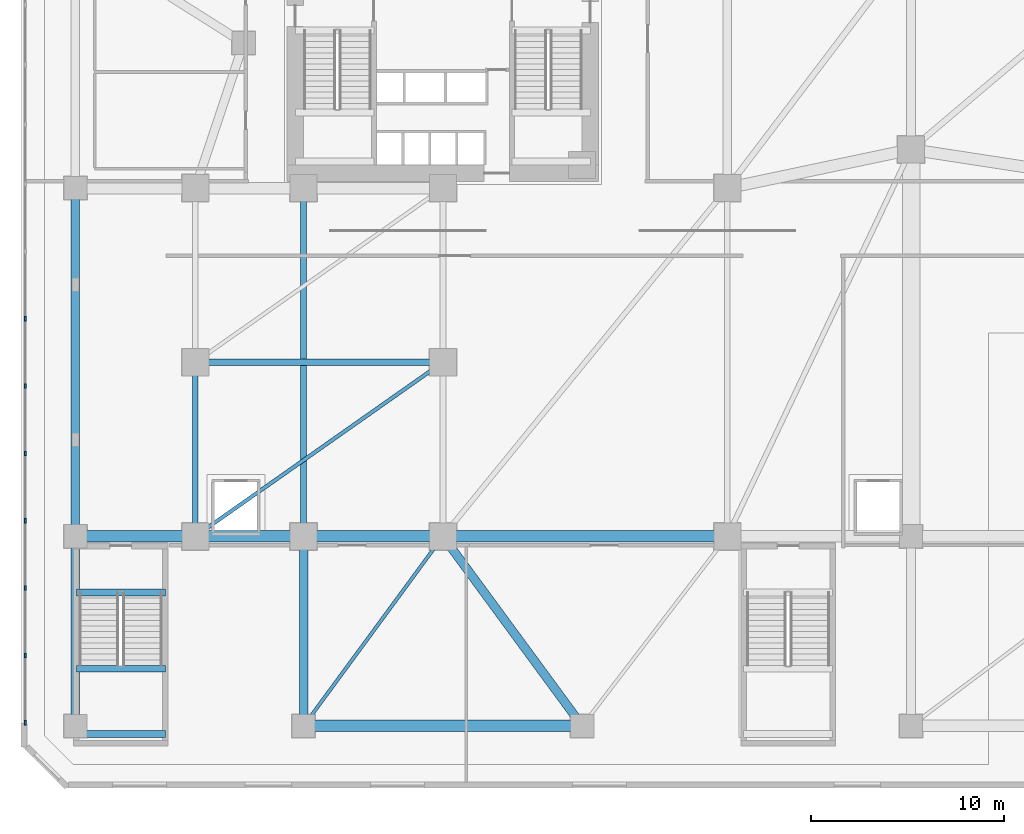
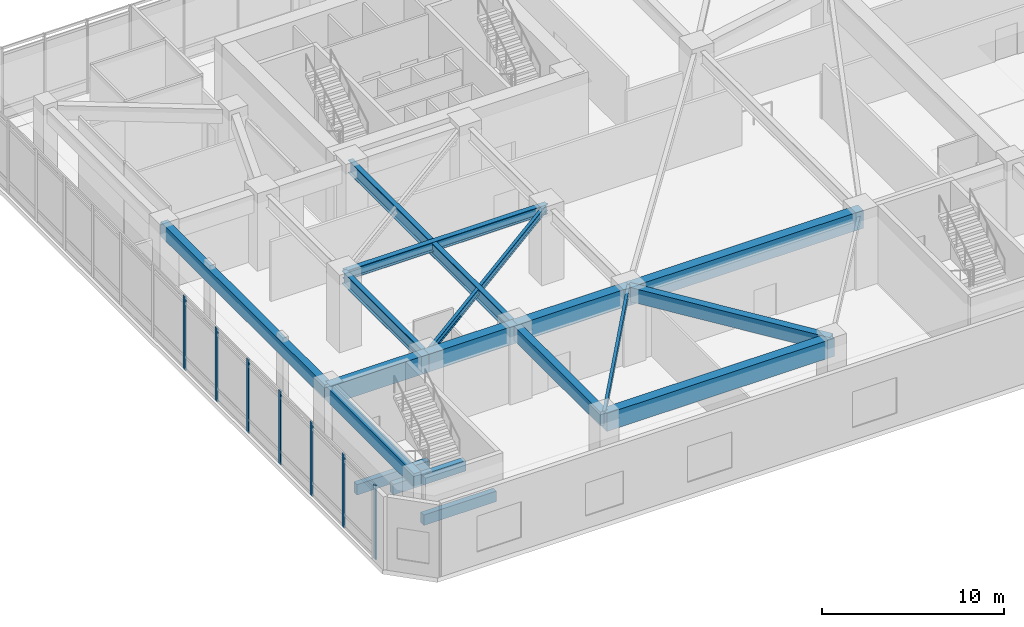
# One storey, part 2 of 16: 17 beams, 7 members, 1 element without a shape of its own.
"""IFC4 building model written with IfcOpenShell, lengths in metres."""

from ifc_helpers import new_model, si_unit, direction, frame, origin, origin_2d, place, context, subcontext, project, spatial, rectangle, i_section, extrude, source, transform, mapped, material, material_profile, profile_set, type_object, element, aggregate, save


model = new_model("IFC4")

# Units and contexts
model_context = context("Model", 3, precision=1e-05, world=origin(), true_north=direction((0.0, 1.0)))
body_context = subcontext(model_context, "Body", "Model", "MODEL_VIEW")
ifc_project = project(units=[si_unit("LENGTHUNIT", "METRE"), si_unit("AREAUNIT", "SQUARE_METRE"), si_unit("VOLUMEUNIT", "CUBIC_METRE"), si_unit("PLANEANGLEUNIT", "RADIAN"), si_unit("MASSUNIT", "GRAM", prefix="KILO")], contexts=[model_context])

# Site, building, storey
site_placement = place(None, origin())
site = spatial("IfcSite", under=ifc_project, at=site_placement, CompositionType="ELEMENT")
building_placement = place(site_placement, origin())
building = spatial("IfcBuilding", under=site, at=building_placement, Name="Calvemar Wedge Station Tower", CompositionType="ELEMENT")
storey_placement = place(building_placement, frame((0.0, 0.0, 6.0)))
storey = spatial("IfcBuildingStorey", under=building, at=storey_placement, Name="L02", CompositionType="ELEMENT", Elevation=6.0)

# Beams
ifc_material_1 = material(Name="Concrete C70", Category="concrete")
ifc_material_profile_1 = material_profile(ifc_material_1, rectangle(XDim=0.35009765625, YDim=0.699951171875, at=origin_2d()), Name="RC350x700")
ifc_profile_set_1 = profile_set([ifc_material_profile_1], Name="Concrete C70")
beam_type_1 = type_object("IfcBeamType", Name="BM-LN1-700", PredefinedType="LINTEL", material=ifc_profile_set_1)
shared_shape_1 = source(origin(), body_context, "Body", "SweptSolid", [
    extrude(rectangle(XDim=0.35009765625, YDim=0.699951171875, at=origin_2d()), origin(), (0.0, 0.0, 1.0), 4.599853515625),
])
for number, where, z_axis, x_axis, name in (
    (1, (4.85009765625, 12.10009765625, -0.35009765625), (1.0, 0.0, 0.0), (0.0, 1.0, 0.0), "Storey L02 Stair ST-P1 Landing Trimmer Beam"),
    (2, (4.85009765625, 4.780029296875, 2.050048828125), (1.0, 0.0, 0.0), (0.0, 1.0, 0.0), "Storey L02 Stair ST-P1 Half-Landing Beam 1A"),
    (3, (4.85009765625, 8.14990234375, 2.050048828125), (1.0, 0.0, 0.0), (0.0, 1.0, 0.0), "Storey L02 Stair ST-P1 Half-Landing Beam 1B"),
):
    element("IfcBeam", number, at=place(storey_placement, frame(where, z_axis=z_axis, x_axis=x_axis)), inside=storey, type_object=beam_type_1, Name=name, PredefinedType="LINTEL", context=body_context, shape_type="MappedRepresentation", body=[
        mapped(shared_shape_1, transform((0.0, 0.0, 0.0), scale=1.0)),
    ])
ifc_material_2 = material(Name="Concrete C60", Category="concrete")
ifc_material_profile_2 = material_profile(ifc_material_2, rectangle(XDim=0.60009765625, YDim=1.199951171875, at=origin_2d()), Name="RC600x1200")
ifc_profile_set_2 = profile_set([ifc_material_profile_2], Name="Concrete C60")
beam_type_2 = type_object("IfcBeamType", Name="BM-G1-1200", PredefinedType="BEAM", material=ifc_profile_set_2)
shared_shape_2 = source(origin(), body_context, "Body", "SweptSolid", [
    extrude(rectangle(XDim=0.60009765625, YDim=1.199951171875, at=origin_2d()), origin(), (0.0, 0.0, 1.0), 14.39990234375),
])
beam_1_placement = place(storey_placement, frame((16.60009765625, 5.199951171875, 4.300048828125), z_axis=(1.0, 0.0, 0.0), x_axis=(0.0, 1.0, 0.0)))
element("IfcBeam", 4, at=beam_1_placement, inside=storey, type_object=beam_type_2, Name="Storey L02 Primary Girder G02", PredefinedType="BEAM", context=body_context, shape_type="MappedRepresentation", body=[
    mapped(shared_shape_2, transform((0.0, 0.0, 0.0), scale=1.0)),
])
shared_shape_3 = source(origin(), body_context, "Body", "SweptSolid", [
    extrude(rectangle(XDim=0.60009765625, YDim=1.199951171875, at=origin_2d()), origin(), (0.0, 0.0, 1.0), 6.199951171875),
])
beam_2_placement = place(storey_placement, frame((4.800048828125, 15.0, 4.300048828125), z_axis=(1.0, 0.0, 0.0), x_axis=(0.0, 1.0, 0.0)))
element("IfcBeam", 5, at=beam_2_placement, inside=storey, type_object=beam_type_2, Name="Storey L02 Primary Girder G05", PredefinedType="BEAM", context=body_context, shape_type="MappedRepresentation", body=[
    mapped(shared_shape_3, transform((0.0, 0.0, 0.0), scale=1.0)),
])
shared_shape_4 = source(origin(), body_context, "Body", "SweptSolid", [
    extrude(rectangle(XDim=0.60009765625, YDim=1.199951171875, at=origin_2d()), origin(), (0.0, 0.0, 1.0), 5.60009765625),
])
beam_3_placement = place(storey_placement, frame((11.0, 15.0, 4.300048828125), z_axis=(1.0, 0.0, 0.0), x_axis=(0.0, 1.0, 0.0)))
element("IfcBeam", 6, at=beam_3_placement, inside=storey, type_object=beam_type_2, Name="Storey L02 Primary Girder G06", PredefinedType="BEAM", context=body_context, shape_type="MappedRepresentation", body=[
    mapped(shared_shape_4, transform((0.0, 0.0, 0.0), scale=1.0)),
])
shared_shape_5 = source(origin(), body_context, "Body", "SweptSolid", [
    extrude(rectangle(XDim=0.60009765625, YDim=1.199951171875, at=origin_2d()), origin(), (0.0, 0.0, 1.0), 7.199951171875),
])
beam_4_placement = place(storey_placement, frame((16.60009765625, 15.0, 4.300048828125), z_axis=(1.0, 0.0, 0.0), x_axis=(0.0, 1.0, 0.0)))
element("IfcBeam", 7, at=beam_4_placement, inside=storey, type_object=beam_type_2, Name="Storey L02 Primary Girder G07", PredefinedType="BEAM", context=body_context, shape_type="MappedRepresentation", body=[
    mapped(shared_shape_5, transform((0.0, 0.0, 0.0), scale=1.0)),
])
shared_shape_6 = source(origin(), body_context, "Body", "SweptSolid", [
    extrude(rectangle(XDim=0.60009765625, YDim=1.199951171875, at=origin_2d()), origin(), (0.0, 0.0, 1.0), 14.699951171875),
])
beam_5_placement = place(storey_placement, frame((23.800048828125, 15.0, 4.300048828125), z_axis=(1.0, 0.0, 0.0), x_axis=(0.0, 1.0, 0.0)))
element("IfcBeam", 8, at=beam_5_placement, inside=storey, type_object=beam_type_2, Name="Storey L02 Primary Girder G08", PredefinedType="BEAM", context=body_context, shape_type="MappedRepresentation", body=[
    mapped(shared_shape_6, transform((0.0, 0.0, 0.0), scale=1.0)),
])
ifc_material_3 = material(Name="Concrete C50", Category="concrete")
ifc_material_profile_3 = material_profile(ifc_material_3, rectangle(XDim=0.449951171875, YDim=0.949951171875, at=origin_2d()), Name="RC450x950")
ifc_profile_set_3 = profile_set([ifc_material_profile_3], Name="Concrete C50")
beam_type_3 = type_object("IfcBeamType", Name="BM-G2-950", PredefinedType="BEAM", material=ifc_profile_set_3)
shared_shape_7 = source(origin(), body_context, "Body", "SweptSolid", [
    extrude(rectangle(XDim=0.449951171875, YDim=0.949951171875, at=origin_2d()), origin(), (0.0, 0.0, 1.0), 18.0),
])
beam_6_placement = place(storey_placement, frame((4.800048828125, 15.0, 4.425048828125), z_axis=(0.0, 1.0, 0.0), x_axis=(-1.0, 0.0, 0.0)))
element("IfcBeam", 9, at=beam_6_placement, inside=storey, type_object=beam_type_3, Name="Storey L02 Primary Girder G18", PredefinedType="BEAM", context=body_context, shape_type="MappedRepresentation", body=[
    mapped(shared_shape_7, transform((0.0, 0.0, 0.0), scale=1.0)),
])
ifc_material_4 = material(Name="Structural steel ASTM A572 Grade 50", Category="steel")
ifc_material_profile_4 = material_profile(ifc_material_4, i_section(OverallWidth=0.303955078125, OverallDepth=0.862060546875, WebThickness=0.019775390625, FlangeThickness=0.035888671875, FilletRadius=0.02001953125, at=origin_2d()), Name="W840x329")
ifc_profile_set_4 = profile_set([ifc_material_profile_4], Name="Structural steel ASTM A572 Grade 50")
beam_type_4 = type_object("IfcBeamType", Name="BM-TR2-W840", PredefinedType="BEAM", material=ifc_profile_set_4)
shared_shape_8 = source(origin(), body_context, "Body", "SweptSolid", [
    extrude(i_section(OverallWidth=0.303955078125, OverallDepth=0.862060546875, WebThickness=0.019775390625, FlangeThickness=0.035888671875, FilletRadius=0.02001953125, at=origin_2d()), origin(), (0.0, 0.0, 1.0), 9.0),
])
beam_7_placement = place(storey_placement, frame((11.0, 15.0, 4.468994140625), z_axis=(0.0, 1.0, 0.0), x_axis=(-1.0, 0.0, 0.0)))
element("IfcBeam", 10, at=beam_7_placement, inside=storey, type_object=beam_type_4, Name="Storey L02 Primary Girder G19", PredefinedType="BEAM", context=body_context, shape_type="MappedRepresentation", body=[
    mapped(shared_shape_8, transform((0.0, 0.0, 0.0), scale=1.0)),
])
shared_shape_9 = source(origin(), body_context, "Body", "SweptSolid", [
    extrude(i_section(OverallWidth=0.303955078125, OverallDepth=0.862060546875, WebThickness=0.019775390625, FlangeThickness=0.035888671875, FilletRadius=0.02001953125, at=origin_2d()), origin(), (0.0, 0.0, 1.0), 18.0),
])
beam_8_placement = place(storey_placement, frame((16.60009765625, 15.0, 4.468994140625), z_axis=(0.0, 1.0, 0.0), x_axis=(-1.0, 0.0, 0.0)))
element("IfcBeam", 11, at=beam_8_placement, inside=storey, type_object=beam_type_4, Name="Storey L02 Primary Girder G21", PredefinedType="BEAM", context=body_context, shape_type="MappedRepresentation", body=[
    mapped(shared_shape_9, transform((0.0, 0.0, 0.0), scale=1.0)),
])
ifc_material_profile_5 = material_profile(ifc_material_4, i_section(OverallWidth=0.3291015625, OverallDepth=0.635009765625, WebThickness=0.017822265625, FlangeThickness=0.031005859375, FilletRadius=0.014892578125, at=origin_2d()), Name="W610x241")
ifc_profile_set_5 = profile_set([ifc_material_profile_5], Name="Structural steel ASTM A572 Grade 50")
beam_type_5 = type_object("IfcBeamType", Name="BM-SB1-W610H", PredefinedType="BEAM", material=ifc_profile_set_5)
shared_shape_10 = source(origin(), body_context, "Body", "SweptSolid", [
    extrude(i_section(OverallWidth=0.3291015625, OverallDepth=0.635009765625, WebThickness=0.017822265625, FlangeThickness=0.031005859375, FilletRadius=0.014892578125, at=origin_2d()), origin(), (0.0, 0.0, 1.0), 12.800048828125),
])
beam_9_placement = place(storey_placement, frame((11.0, 24.0, 4.58251953125), z_axis=(1.0, 0.0, 0.0), x_axis=(0.0, 1.0, 0.0)))
element("IfcBeam", 12, at=beam_9_placement, inside=storey, type_object=beam_type_5, Name="Storey L02 Primary Girder G27", PredefinedType="BEAM", context=body_context, shape_type="MappedRepresentation", body=[
    mapped(shared_shape_10, transform((0.0, 0.0, 0.0), scale=1.0)),
])
shared_shape_11 = source(origin(), body_context, "Body", "SweptSolid", [
    extrude(rectangle(XDim=0.449951171875, YDim=0.949951171875, at=origin_2d()), origin(), (0.0, 0.0, 1.0), 9.800048828125),
])
for number, where, z_axis, x_axis, name in (
    (13, (4.800048828125, 5.199951171875, 4.425048828125), (0.0, 1.0, 0.0), (-1.0, 0.0, 0.0), "Storey L02 Primary Girder G28"),
    (14, (16.60009765625, 5.199951171875, 4.425048828125), (0.0, 1.0, 0.0), (-1.0, 0.0, 0.0), "Storey L02 Primary Girder G29"),
):
    element("IfcBeam", number, at=place(storey_placement, frame(where, z_axis=z_axis, x_axis=x_axis)), inside=storey, type_object=beam_type_3, Name=name, PredefinedType="BEAM", context=body_context, shape_type="MappedRepresentation", body=[
        mapped(shared_shape_11, transform((0.0, 0.0, 0.0), scale=1.0)),
    ])
shared_shape_12 = source(origin(), body_context, "Body", "SweptSolid", [
    extrude(rectangle(XDim=0.449951171875, YDim=0.949951171875, at=origin_2d()), origin(), (0.0, 0.0, 1.0), 12.16064453125),
])
beam_10_placement = place(storey_placement, frame((31.0, 5.199951171875, 4.425048828125), z_axis=(-0.59207191039, 0.805885136311, 0.0), x_axis=(-0.805885136311, -0.59207191039, 0.0)))
element("IfcBeam", 15, at=beam_10_placement, inside=storey, type_object=beam_type_3, Name="Storey L02 Primary Girder G30", PredefinedType="BEAM", context=body_context, shape_type="MappedRepresentation", body=[
    mapped(shared_shape_12, transform((0.0, 0.0, 0.0), scale=1.0)),
])
ifc_material_profile_6 = material_profile(ifc_material_4, i_section(OverallWidth=0.19189453125, OverallDepth=0.462890625, WebThickness=0.010498046875, FlangeThickness=0.017578125, FilletRadius=0.012939453125, at=origin_2d()), Name="W460x89")
ifc_profile_set_6 = profile_set([ifc_material_profile_6], Name="Structural steel ASTM A572 Grade 50")
beam_type_6 = type_object("IfcBeamType", Name="BM-J1-W460", PredefinedType="JOIST", material=ifc_profile_set_6)
shared_shape_13 = source(origin(), body_context, "Body", "SweptSolid", [
    extrude(i_section(OverallWidth=0.19189453125, OverallDepth=0.462890625, WebThickness=0.010498046875, FlangeThickness=0.017578125, FilletRadius=0.012939453125, at=origin_2d()), origin(), (0.0, 0.0, 1.0), 15.6474609375),
])
beam_11_placement = place(storey_placement, frame((11.0, 15.0, 4.66845703125), z_axis=(0.818030190743, 0.575175283747, 0.0), x_axis=(-0.575175283747, 0.818030190743, 0.0)))
element("IfcBeam", 16, at=beam_11_placement, inside=storey, type_object=beam_type_6, Name="Storey L02 Concourse Cross Joist 1", PredefinedType="JOIST", context=body_context, shape_type="MappedRepresentation", body=[
    mapped(shared_shape_13, transform((0.0, 0.0, 0.0), scale=1.0)),
])
ifc_material_profile_7 = material_profile(ifc_material_4, i_section(OverallWidth=0.177978515625, OverallDepth=0.406982421875, WebThickness=0.0078125, FlangeThickness=0.0126953125, FilletRadius=0.010009765625, at=origin_2d()), Name="W410x60")
ifc_profile_set_7 = profile_set([ifc_material_profile_7], Name="Structural steel ASTM A572 Grade 50")
beam_type_7 = type_object("IfcBeamType", Name="BM-J3-W410", PredefinedType="JOIST", material=ifc_profile_set_7)
shared_shape_14 = source(origin(), body_context, "Body", "SweptSolid", [
    extrude(i_section(OverallWidth=0.177978515625, OverallDepth=0.406982421875, WebThickness=0.0078125, FlangeThickness=0.0126953125, FilletRadius=0.010009765625, at=origin_2d()), origin(), (0.0, 0.0, 1.0), 12.16064453125),
])
beam_12_placement = place(storey_placement, frame((16.60009765625, 5.199951171875, 4.696533203125), z_axis=(0.59207191039, 0.805885136311, 0.0), x_axis=(-0.805885136311, 0.59207191039, 0.0)))
element("IfcBeam", 17, at=beam_12_placement, inside=storey, type_object=beam_type_7, Name="Storey L02 Concourse Cross Joist 6", PredefinedType="JOIST", context=body_context, shape_type="MappedRepresentation", body=[
    mapped(shared_shape_14, transform((0.0, 0.0, 0.0), scale=1.0)),
])

# Curtain wall, members
ifc_material_5 = material(Name="Anodised aluminium 6063-T6", Category="aluminium")
curtain_wall_type = type_object("IfcCurtainWallType", Name="CW5", PredefinedType="NOTDEFINED", material=ifc_material_5)
curtain_wall_placement = place(storey_placement, origin())
curtain_wall = element("IfcCurtainWall", 18, at=curtain_wall_placement, inside=storey, type_object=curtain_wall_type, Name="Storey L02 CW5 Recessed Unitised Curtain Wall 6", PredefinedType="NOTDEFINED")
ifc_material_profile_8 = material_profile(ifc_material_5, rectangle(XDim=0.0849609375, YDim=0.239990234375, at=origin_2d()), Name="AL-MUL-85x240")
ifc_profile_set_8 = profile_set([ifc_material_profile_8], Name="Anodised aluminium 6063-T6")
member_type = type_object("IfcMemberType", Name="CW5-MUL", PredefinedType="MULLION", material=ifc_profile_set_8)
shared_shape_15 = source(origin(), body_context, "Body", "SweptSolid", [
    extrude(rectangle(XDim=0.0849609375, YDim=0.239990234375, at=origin_2d()), origin(), (0.0, 0.0, 1.0), 4.949951171875),
])
member_1_placement = place(storey_placement, frame((2.2099609375, 26.248046875, -0.050048828125), z_axis=(0.0, 0.0, 1.0), x_axis=(1.0, 0.0, 0.0)))
member_1 = element("IfcMember", 19, at=member_1_placement, type_object=member_type, Name="CW5 mullion 8", PredefinedType="MULLION", context=body_context, shape_type="MappedRepresentation", body=[
    mapped(shared_shape_15, transform((0.0, 0.0, 0.0), scale=1.0)),
])
member_2_placement = place(storey_placement, frame((2.2099609375, 22.76708984375, -0.050048828125), z_axis=(0.0, 0.0, 1.0), x_axis=(1.0, 0.0, 0.0)))
member_2 = element("IfcMember", 20, at=member_2_placement, type_object=member_type, Name="CW5 mullion 9", PredefinedType="MULLION", context=body_context, shape_type="MappedRepresentation", body=[
    mapped(shared_shape_15, transform((0.0, 0.0, 0.0), scale=1.0)),
])
member_3_placement = place(storey_placement, frame((2.2099609375, 19.2861328125, -0.050048828125), z_axis=(0.0, 0.0, 1.0), x_axis=(1.0, 0.0, 0.0)))
member_3 = element("IfcMember", 21, at=member_3_placement, type_object=member_type, Name="CW5 mullion 10", PredefinedType="MULLION", context=body_context, shape_type="MappedRepresentation", body=[
    mapped(shared_shape_15, transform((0.0, 0.0, 0.0), scale=1.0)),
])
member_4_placement = place(storey_placement, frame((2.2099609375, 15.80517578125, -0.050048828125), z_axis=(0.0, 0.0, 1.0), x_axis=(1.0, 0.0, 0.0)))
member_4 = element("IfcMember", 22, at=member_4_placement, type_object=member_type, Name="CW5 mullion 11", PredefinedType="MULLION", context=body_context, shape_type="MappedRepresentation", body=[
    mapped(shared_shape_15, transform((0.0, 0.0, 0.0), scale=1.0)),
])
member_5_placement = place(storey_placement, frame((2.2099609375, 12.32421875, -0.050048828125), z_axis=(0.0, 0.0, 1.0), x_axis=(1.0, 0.0, 0.0)))
member_5 = element("IfcMember", 23, at=member_5_placement, type_object=member_type, Name="CW5 mullion 12", PredefinedType="MULLION", context=body_context, shape_type="MappedRepresentation", body=[
    mapped(shared_shape_15, transform((0.0, 0.0, 0.0), scale=1.0)),
])
member_6_placement = place(storey_placement, frame((2.2099609375, 8.843017578125, -0.050048828125), z_axis=(0.0, 0.0, 1.0), x_axis=(1.0, 0.0, 0.0)))
member_6 = element("IfcMember", 24, at=member_6_placement, type_object=member_type, Name="CW5 mullion 13", PredefinedType="MULLION", context=body_context, shape_type="MappedRepresentation", body=[
    mapped(shared_shape_15, transform((0.0, 0.0, 0.0), scale=1.0)),
])
member_7_placement = place(storey_placement, frame((2.2099609375, 5.362060546875, -0.050048828125), z_axis=(0.0, 0.0, 1.0), x_axis=(1.0, 0.0, 0.0)))
member_7 = element("IfcMember", 25, at=member_7_placement, type_object=member_type, Name="CW5 mullion 14", PredefinedType="MULLION", context=body_context, shape_type="MappedRepresentation", body=[
    mapped(shared_shape_15, transform((0.0, 0.0, 0.0), scale=1.0)),
])
aggregate(curtain_wall, [member_1, member_2, member_3, member_4, member_5, member_6, member_7])

save(model, "model.ifc")
